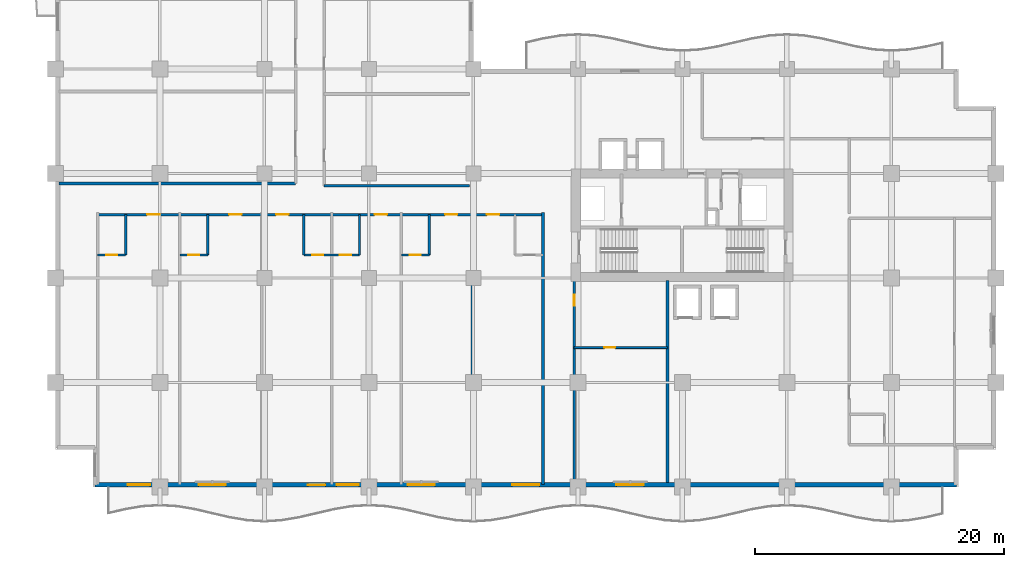
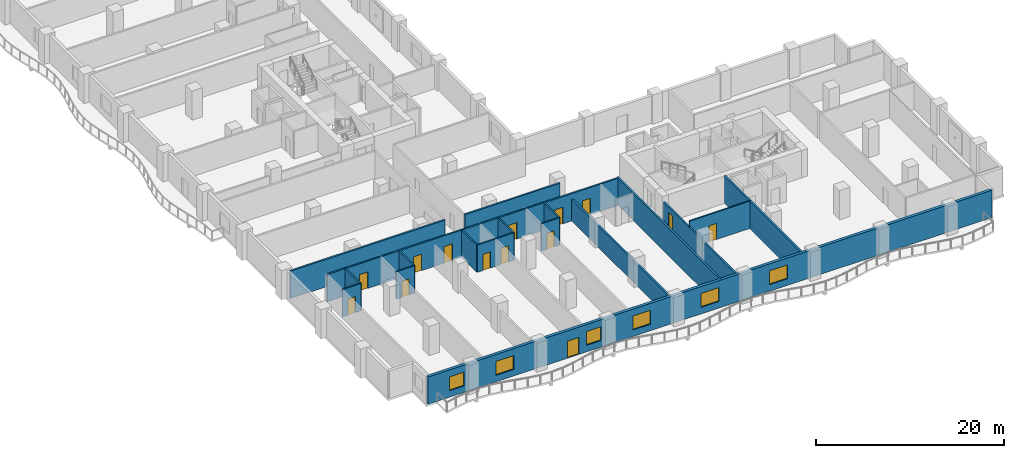
# One storey, part 7 of 20: 18 walls, 14 doors, 6 windows, 20 openings.
"""IFC4 building model written with IfcOpenShell, lengths in metres."""

from ifc_helpers import new_model, si_unit, direction, frame, frame_2d, origin, place, context, subcontext, project, spatial, rectangle, extrude, material, layer, layer_set, type_object, element, fill, save


model = new_model("IFC4")

# Units and contexts
model_context = context("Model", 3, precision=1e-05, world=origin(), true_north=direction((0.0, 1.0)))
body_context = subcontext(model_context, "Body", "Model", "MODEL_VIEW")
ifc_project = project(units=[si_unit("LENGTHUNIT", "METRE"), si_unit("AREAUNIT", "SQUARE_METRE"), si_unit("VOLUMEUNIT", "CUBIC_METRE"), si_unit("PLANEANGLEUNIT", "RADIAN"), si_unit("MASSUNIT", "GRAM", prefix="KILO")], contexts=[model_context])

# Site, building, storey
site_placement = place(None, origin())
site = spatial("IfcSite", under=ifc_project, at=site_placement, CompositionType="ELEMENT")
building_placement = place(site_placement, origin())
building = spatial("IfcBuilding", under=site, at=building_placement, Name="Koriwani Terraces Tower", CompositionType="ELEMENT")
storey_placement = place(building_placement, frame((0.0, 0.0, 126.60009765625)))
storey = spatial("IfcBuildingStorey", under=building, at=storey_placement, Name="L30", CompositionType="ELEMENT", Elevation=126.60009765625)

# Wall, opening, door
ifc_material_1 = material(Name="Autoclaved Cellular Concrete Blockwork", Category="masonry")
ifc_layer_1 = layer(ifc_material_1, 0.199951171875, Name="Autoclaved Cellular Concrete Blockwork")
ifc_layer_set_1 = layer_set([ifc_layer_1], Name="Autoclaved Cellular Concrete Blockwork")
wall_type_1 = type_object("IfcWallType", Name="WALL_CORRIDOR_200", PredefinedType="PARTITIONING", material=ifc_layer_set_1)
wall_1_placement = place(storey_placement, frame((41.699951171875, 0.35009765625, 0.0), z_axis=(0.0, 0.0, 1.0), x_axis=(0.0, 1.0, 0.0)))
wall_1 = element("IfcWall", 1, at=wall_1_placement, inside=storey, type_object=wall_type_1, Name="L30 Interior Wall WREC-EW-L30", PredefinedType="PARTITIONING", context=body_context, shape_type="SweptSolid", body=[
    extrude(rectangle(XDim=16.25, YDim=0.199951171875, at=frame_2d((8.125, 0.0))), origin(), (0.0, 0.0, 1.0), 2.7998046875),
])
opening_1_placement = place(wall_1_placement, frame((14.199951171875, 0.0, 0.0)))
opening_1 = element("IfcOpeningElement", 2, at=opening_1_placement, cuts=wall_1, Name="Opening D-06", PredefinedType="OPENING", context=body_context, shape_type="SweptSolid", body=[
    extrude(rectangle(XDim=0.919921875, YDim=2.10009765625, at=frame_2d((0.4599609375, 1.050048828125))), frame((0.0, 0.10986328125, 0.0), z_axis=(0.0, -1.0, 0.0), x_axis=(1.0, 0.0, 0.0)), (0.0, 0.0, 1.0), 0.219970703125),
])
ifc_material_2 = material(Name="Architectural Oak Fire Door", Category="wood")
door_type_1 = type_object("IfcDoorType", Name="DOOR_ROOM_INT_920X2100", OperationType="NOTDEFINED", PredefinedType="DOOR", material=ifc_material_2)
door_1_placement = place(opening_1_placement, origin())
door_1 = element("IfcDoor", 3, at=door_1_placement, inside=storey, type_object=door_type_1, Name="L30 Housekeeping and Linen Room Door", OperationType="SINGLE_SWING_RIGHT", OverallHeight=2.10009765625, OverallWidth=0.919921875, PredefinedType="DOOR", context=body_context, shape_type="SweptSolid", body=[
    extrude(rectangle(XDim=0.919921875, YDim=2.10009765625, at=frame_2d((0.4599609375, 1.050048828125))), frame((0.0, 0.02490234375, 0.0), z_axis=(0.0, -1.0, 0.0), x_axis=(1.0, 0.0, 0.0)), (0.0, 0.0, 1.0), 0.050048828125),
])
fill(opening_1, door_1)

# Wall
wall_2_placement = place(storey_placement, frame((21.60009765625, 24.199951171875, 0.0), z_axis=(0.0, 0.0, 1.0), x_axis=(1.0, 0.0, 0.0)))
element("IfcWall", 4, at=wall_2_placement, inside=storey, type_object=wall_type_1, Name="L30 Interior Wall WIC2-S-L30", PredefinedType="PARTITIONING", context=body_context, shape_type="SweptSolid", body=[
    extrude(rectangle(XDim=11.699951171875, YDim=0.199951171875, at=frame_2d((5.85009765625, 0.0))), origin(), (0.0, 0.0, 1.0), 3.5498046875),
])

# Wall, openings, doors
wall_3_placement = place(storey_placement, frame((3.39990234375, 21.89990234375, 0.0), z_axis=(0.0, 0.0, 1.0), x_axis=(1.0, 0.0, 0.0)))
wall_3 = element("IfcWall", 5, at=wall_3_placement, inside=storey, type_object=wall_type_1, Name="L30 Interior Wall WCOR-L30-SW-0", PredefinedType="PARTITIONING", context=body_context, shape_type="SweptSolid", body=[
    extrude(rectangle(XDim=35.800048828125, YDim=0.199951171875, at=frame_2d((17.89990234375, 0.0))), origin(), (0.0, 0.0, 1.0), 3.5498046875),
])
opening_2_placement = place(wall_3_placement, frame((3.965087890625, 0.0, 0.0)))
opening_2 = element("IfcOpeningElement", 6, at=opening_2_placement, cuts=wall_3, Name="Opening D-05", PredefinedType="OPENING", context=body_context, shape_type="SweptSolid", body=[
    extrude(rectangle(XDim=1.0, YDim=2.14990234375, at=frame_2d((0.5, 1.074951171875))), frame((0.0, 0.10986328125, 0.0), z_axis=(0.0, -1.0, 0.0), x_axis=(1.0, 0.0, 0.0)), (0.0, 0.0, 1.0), 0.219970703125),
])
opening_3_placement = place(wall_3_placement, frame((10.56494140625, 0.0, 0.0)))
opening_3 = element("IfcOpeningElement", 7, at=opening_3_placement, cuts=wall_3, Name="Opening D-05", PredefinedType="OPENING", context=body_context, shape_type="SweptSolid", body=[
    extrude(rectangle(XDim=1.0, YDim=2.14990234375, at=frame_2d((0.5, 1.074951171875))), frame((0.0, 0.10986328125, 0.0), z_axis=(0.0, -1.0, 0.0), x_axis=(1.0, 0.0, 0.0)), (0.0, 0.0, 1.0), 0.219970703125),
])
opening_4_placement = place(wall_3_placement, frame((14.340087890625, 0.0, 0.0)))
opening_4 = element("IfcOpeningElement", 8, at=opening_4_placement, cuts=wall_3, Name="Opening D-05", PredefinedType="OPENING", context=body_context, shape_type="SweptSolid", body=[
    extrude(rectangle(XDim=1.0, YDim=2.14990234375, at=frame_2d((0.5, 1.074951171875))), frame((0.0, 0.10986328125, 0.0), z_axis=(0.0, -1.0, 0.0), x_axis=(1.0, 0.0, 0.0)), (0.0, 0.0, 1.0), 0.219970703125),
])
opening_5_placement = place(wall_3_placement, frame((22.260009765625, 0.0, 0.0)))
opening_5 = element("IfcOpeningElement", 9, at=opening_5_placement, cuts=wall_3, Name="Opening D-05", PredefinedType="OPENING", context=body_context, shape_type="SweptSolid", body=[
    extrude(rectangle(XDim=1.0, YDim=2.14990234375, at=frame_2d((0.5, 1.074951171875))), frame((0.0, 0.10986328125, 0.0), z_axis=(0.0, -1.0, 0.0), x_axis=(1.0, 0.0, 0.0)), (0.0, 0.0, 1.0), 0.219970703125),
])
opening_6_placement = place(wall_3_placement, frame((27.9150390625, 0.0, 0.0)))
opening_6 = element("IfcOpeningElement", 10, at=opening_6_placement, cuts=wall_3, Name="Opening D-05", PredefinedType="OPENING", context=body_context, shape_type="SweptSolid", body=[
    extrude(rectangle(XDim=1.0, YDim=2.14990234375, at=frame_2d((0.5, 1.074951171875))), frame((0.0, 0.10986328125, 0.0), z_axis=(0.0, -1.0, 0.0), x_axis=(1.0, 0.0, 0.0)), (0.0, 0.0, 1.0), 0.219970703125),
])
opening_7_placement = place(wall_3_placement, frame((31.284912109375, 0.0, 0.0)))
opening_7 = element("IfcOpeningElement", 11, at=opening_7_placement, cuts=wall_3, Name="Opening D-05", PredefinedType="OPENING", context=body_context, shape_type="SweptSolid", body=[
    extrude(rectangle(XDim=1.0, YDim=2.14990234375, at=frame_2d((0.5, 1.074951171875))), frame((0.0, 0.10986328125, 0.0), z_axis=(0.0, -1.0, 0.0), x_axis=(1.0, 0.0, 0.0)), (0.0, 0.0, 1.0), 0.219970703125),
])
door_type_2 = type_object("IfcDoorType", Name="DOOR_SUITE_ENTRY_1000X2150", OperationType="NOTDEFINED", PredefinedType="DOOR", material=ifc_material_2)
door_2_placement = place(opening_2_placement, origin())
door_2 = element("IfcDoor", 12, at=door_2_placement, inside=storey, type_object=door_type_2, Name="Luxury Hotel Suite 30SW1 Entrance Door", OperationType="SINGLE_SWING_RIGHT", OverallHeight=2.14990234375, OverallWidth=1.0, PredefinedType="DOOR", context=body_context, shape_type="SweptSolid", body=[
    extrude(rectangle(XDim=1.0, YDim=2.14990234375, at=frame_2d((0.5, 1.074951171875))), frame((0.0, 0.02490234375, 0.0), z_axis=(0.0, -1.0, 0.0), x_axis=(1.0, 0.0, 0.0)), (0.0, 0.0, 1.0), 0.050048828125),
])
fill(opening_2, door_2)
door_3_placement = place(opening_3_placement, origin())
door_3 = element("IfcDoor", 13, at=door_3_placement, inside=storey, type_object=door_type_2, Name="Luxury Hotel Suite 30SW2 Entrance Door", OperationType="SINGLE_SWING_RIGHT", OverallHeight=2.14990234375, OverallWidth=1.0, PredefinedType="DOOR", context=body_context, shape_type="SweptSolid", body=[
    extrude(rectangle(XDim=1.0, YDim=2.14990234375, at=frame_2d((0.5, 1.074951171875))), frame((0.0, 0.02490234375, 0.0), z_axis=(0.0, -1.0, 0.0), x_axis=(1.0, 0.0, 0.0)), (0.0, 0.0, 1.0), 0.050048828125),
])
fill(opening_3, door_3)
door_4_placement = place(opening_4_placement, origin())
door_4 = element("IfcDoor", 14, at=door_4_placement, inside=storey, type_object=door_type_2, Name="Luxury Hotel Suite 30SW3 Entrance Door", OperationType="SINGLE_SWING_RIGHT", OverallHeight=2.14990234375, OverallWidth=1.0, PredefinedType="DOOR", context=body_context, shape_type="SweptSolid", body=[
    extrude(rectangle(XDim=1.0, YDim=2.14990234375, at=frame_2d((0.5, 1.074951171875))), frame((0.0, 0.02490234375, 0.0), z_axis=(0.0, -1.0, 0.0), x_axis=(1.0, 0.0, 0.0)), (0.0, 0.0, 1.0), 0.050048828125),
])
fill(opening_4, door_4)
door_5_placement = place(opening_5_placement, origin())
door_5 = element("IfcDoor", 15, at=door_5_placement, inside=storey, type_object=door_type_2, Name="Luxury Hotel Suite 30SW4 Entrance Door", OperationType="SINGLE_SWING_RIGHT", OverallHeight=2.14990234375, OverallWidth=1.0, PredefinedType="DOOR", context=body_context, shape_type="SweptSolid", body=[
    extrude(rectangle(XDim=1.0, YDim=2.14990234375, at=frame_2d((0.5, 1.074951171875))), frame((0.0, 0.02490234375, 0.0), z_axis=(0.0, -1.0, 0.0), x_axis=(1.0, 0.0, 0.0)), (0.0, 0.0, 1.0), 0.050048828125),
])
fill(opening_5, door_5)
door_6_placement = place(opening_6_placement, origin())
door_6 = element("IfcDoor", 16, at=door_6_placement, inside=storey, type_object=door_type_2, Name="Luxury Hotel Suite 30SW5 Entrance Door", OperationType="SINGLE_SWING_RIGHT", OverallHeight=2.14990234375, OverallWidth=1.0, PredefinedType="DOOR", context=body_context, shape_type="SweptSolid", body=[
    extrude(rectangle(XDim=1.0, YDim=2.14990234375, at=frame_2d((0.5, 1.074951171875))), frame((0.0, 0.02490234375, 0.0), z_axis=(0.0, -1.0, 0.0), x_axis=(1.0, 0.0, 0.0)), (0.0, 0.0, 1.0), 0.050048828125),
])
fill(opening_6, door_6)
door_7_placement = place(opening_7_placement, origin())
door_7 = element("IfcDoor", 17, at=door_7_placement, inside=storey, type_object=door_type_2, Name="Luxury Hotel Suite 30SW6 Entrance Door", OperationType="SINGLE_SWING_RIGHT", OverallHeight=2.14990234375, OverallWidth=1.0, PredefinedType="DOOR", context=body_context, shape_type="SweptSolid", body=[
    extrude(rectangle(XDim=1.0, YDim=2.14990234375, at=frame_2d((0.5, 1.074951171875))), frame((0.0, 0.02490234375, 0.0), z_axis=(0.0, -1.0, 0.0), x_axis=(1.0, 0.0, 0.0)), (0.0, 0.0, 1.0), 0.050048828125),
])
fill(opening_7, door_7)

# Walls
ifc_layer_2 = layer(ifc_material_1, 0.219970703125, Name="Autoclaved Cellular Concrete Blockwork")
ifc_layer_set_2 = layer_set([ifc_layer_2], Name="Autoclaved Cellular Concrete Blockwork")
wall_type_2 = type_object("IfcWallType", Name="WALL_DEMISING_220", PredefinedType="PARTITIONING", material=ifc_layer_set_2)
wall_4_placement = place(storey_placement, frame((49.199951171875, 0.35009765625, 0.0), z_axis=(0.0, 0.0, 1.0), x_axis=(0.0, 1.0, 0.0)))
element("IfcWall", 18, at=wall_4_placement, inside=storey, type_object=wall_type_2, Name="L30 Interior Wall WREC-EE-L30", PredefinedType="PARTITIONING", context=body_context, shape_type="SweptSolid", body=[
    extrude(rectangle(XDim=16.25, YDim=0.219970703125, at=frame_2d((8.125, 0.0))), origin(), (0.0, 0.0, 1.0), 3.5498046875),
])
wall_5_placement = place(storey_placement, frame((33.5, 0.199951171875, 0.0), z_axis=(0.0, 0.0, 1.0), x_axis=(0.0, 1.0, 0.0)))
element("IfcWall", 19, at=wall_5_placement, inside=storey, type_object=wall_type_2, Name="L30 Interior Wall WDEM-L30-SW-5", PredefinedType="PARTITIONING", context=body_context, shape_type="SweptSolid", body=[
    extrude(rectangle(XDim=21.880126953125, YDim=0.219970703125, at=frame_2d((10.93994140625, 0.0))), origin(), (0.0, 0.0, 1.0), 2.7998046875),
])
wall_6_placement = place(storey_placement, frame((39.199951171875, 0.199951171875, 0.0), z_axis=(0.0, 0.0, 1.0), x_axis=(0.0, 1.0, 0.0)))
element("IfcWall", 20, at=wall_6_placement, inside=storey, type_object=wall_type_2, Name="L30 Interior Wall WDEME-L30-SW", PredefinedType="PARTITIONING", context=body_context, shape_type="SweptSolid", body=[
    extrude(rectangle(XDim=21.880126953125, YDim=0.219970703125, at=frame_2d((10.93994140625, 0.0))), origin(), (0.0, 0.0, 1.0), 3.5498046875),
])
wall_7_placement = place(storey_placement, frame((0.300048828125, 24.39990234375, 0.0), z_axis=(0.0, 0.0, 1.0), x_axis=(1.0, 0.0, 0.0)))
element("IfcWall", 21, at=wall_7_placement, inside=storey, type_object=wall_type_2, Name="L30 Interior Wall WC2NWCLS-L30", PredefinedType="PARTITIONING", context=body_context, shape_type="SweptSolid", body=[
    extrude(rectangle(XDim=19.0, YDim=0.219970703125, at=frame_2d((9.5, 0.0))), origin(), (0.0, 0.0, 1.0), 3.5498046875),
])

# Wall, openings, door, windows
ifc_material_3 = material(Name="Concrete C50/60", Category="concrete")
ifc_layer_3 = layer(ifc_material_3, 0.35009765625, Name="Concrete C50/60")
ifc_layer_set_3 = layer_set([ifc_layer_3], Name="Concrete C50/60")
wall_type_3 = type_object("IfcWallType", Name="WALL_EXT_BRUTALIST_350", PredefinedType="STANDARD", material=ifc_layer_set_3)
wall_8_placement = place(storey_placement, frame((72.425048828125, 0.175048828125, 0.0), z_axis=(0.0, 0.0, 1.0), x_axis=(-1.0, 0.0, 0.0)))
wall_8 = element("IfcWall", 22, at=wall_8_placement, inside=storey, type_object=wall_type_3, Name="L30 Fair-Faced Brutalist Exterior Wall (S)", PredefinedType="STANDARD", context=body_context, shape_type="SweptSolid", body=[
    extrude(rectangle(XDim=69.25, YDim=0.35009765625, at=frame_2d((34.625, 0.0))), origin(), (0.0, 0.0, 1.0), 3.5498046875),
])
opening_8_placement = place(wall_8_placement, frame((50.72509765625, 0.0, 0.0)))
opening_8 = element("IfcOpeningElement", 23, at=opening_8_placement, cuts=wall_8, Name="Opening D-09", PredefinedType="OPENING", context=body_context, shape_type="SweptSolid", body=[
    extrude(rectangle(XDim=1.39990234375, YDim=2.199951171875, at=frame_2d((0.699951171875, 1.10009765625))), frame((0.0, 0.18505859375, 0.0), z_axis=(0.0, -1.0, 0.0), x_axis=(1.0, 0.0, 0.0)), (0.0, 0.0, 1.0), 0.3701171875),
])
opening_9_placement = place(wall_8_placement, frame((58.72509765625, 0.0, 0.85009765625)))
opening_9 = element("IfcOpeningElement", 24, at=opening_9_placement, cuts=wall_8, Name="Opening W-01", PredefinedType="OPENING", context=body_context, shape_type="SweptSolid", body=[
    extrude(rectangle(XDim=2.199951171875, YDim=1.800048828125, at=frame_2d((1.10009765625, 0.89990234375))), frame((0.0, 0.18505859375, 0.0), z_axis=(0.0, -1.0, 0.0), x_axis=(1.0, 0.0, 0.0)), (0.0, 0.0, 1.0), 0.3701171875),
])
opening_10_placement = place(wall_8_placement, frame((41.925048828125, 0.0, 0.85009765625)))
opening_10 = element("IfcOpeningElement", 25, at=opening_10_placement, cuts=wall_8, Name="Opening W-01", PredefinedType="OPENING", context=body_context, shape_type="SweptSolid", body=[
    extrude(rectangle(XDim=2.199951171875, YDim=1.800048828125, at=frame_2d((1.10009765625, 0.89990234375))), frame((0.0, 0.18505859375, 0.0), z_axis=(0.0, -1.0, 0.0), x_axis=(1.0, 0.0, 0.0)), (0.0, 0.0, 1.0), 0.3701171875),
])
opening_11_placement = place(wall_8_placement, frame((33.52490234375, 0.0, 0.85009765625)))
opening_11 = element("IfcOpeningElement", 26, at=opening_11_placement, cuts=wall_8, Name="Opening W-01", PredefinedType="OPENING", context=body_context, shape_type="SweptSolid", body=[
    extrude(rectangle(XDim=2.199951171875, YDim=1.800048828125, at=frame_2d((1.10009765625, 0.89990234375))), frame((0.0, 0.18505859375, 0.0), z_axis=(0.0, -1.0, 0.0), x_axis=(1.0, 0.0, 0.0)), (0.0, 0.0, 1.0), 0.3701171875),
])
opening_12_placement = place(wall_8_placement, frame((25.125, 0.0, 0.85009765625)))
opening_12 = element("IfcOpeningElement", 27, at=opening_12_placement, cuts=wall_8, Name="Opening W-01", PredefinedType="OPENING", context=body_context, shape_type="SweptSolid", body=[
    extrude(rectangle(XDim=2.199951171875, YDim=1.800048828125, at=frame_2d((1.10009765625, 0.89990234375))), frame((0.0, 0.18505859375, 0.0), z_axis=(0.0, -1.0, 0.0), x_axis=(1.0, 0.0, 0.0)), (0.0, 0.0, 1.0), 0.3701171875),
])
opening_13_placement = place(wall_8_placement, frame((64.824951171875, 0.0, 0.85009765625)))
opening_13 = element("IfcOpeningElement", 28, at=opening_13_placement, cuts=wall_8, Name="Opening W-04", PredefinedType="OPENING", context=body_context, shape_type="SweptSolid", body=[
    extrude(rectangle(XDim=1.800048828125, YDim=1.800048828125, at=frame_2d((0.89990234375, 0.89990234375))), frame((0.0, 0.18505859375, 0.0), z_axis=(0.0, -1.0, 0.0), x_axis=(1.0, 0.0, 0.0)), (0.0, 0.0, 1.0), 0.3701171875),
])
opening_14_placement = place(wall_8_placement, frame((48.02490234375, 0.0, 0.85009765625)))
opening_14 = element("IfcOpeningElement", 29, at=opening_14_placement, cuts=wall_8, Name="Opening W-04", PredefinedType="OPENING", context=body_context, shape_type="SweptSolid", body=[
    extrude(rectangle(XDim=1.800048828125, YDim=1.800048828125, at=frame_2d((0.89990234375, 0.89990234375))), frame((0.0, 0.18505859375, 0.0), z_axis=(0.0, -1.0, 0.0), x_axis=(1.0, 0.0, 0.0)), (0.0, 0.0, 1.0), 0.3701171875),
])
ifc_material_4 = material(Name="Anodised Bronze Aluminium", Category="aluminium")
door_type_3 = type_object("IfcDoorType", Name="DOOR_BALCONY_GLAZED_1400X2200", OperationType="NOTDEFINED", PredefinedType="DOOR", material=ifc_material_4)
door_8_placement = place(opening_8_placement, origin())
door_8 = element("IfcDoor", 30, at=door_8_placement, inside=storey, type_object=door_type_3, Name="L30 South Balcony Glazed Door", OperationType="SINGLE_SWING_LEFT", OverallHeight=2.199951171875, OverallWidth=1.39990234375, PredefinedType="DOOR", context=body_context, shape_type="SweptSolid", body=[
    extrude(rectangle(XDim=1.39990234375, YDim=2.199951171875, at=frame_2d((0.699951171875, 1.10009765625))), frame((0.0, 0.02490234375, 0.0), z_axis=(0.0, -1.0, 0.0), x_axis=(1.0, 0.0, 0.0)), (0.0, 0.0, 1.0), 0.050048828125),
])
fill(opening_8, door_8)
ifc_material_5 = material(Name="Tempered Laminated Low-E Glass", Category="glass")
window_type_1 = type_object("IfcWindowType", Name="WIN_HOTEL_STD_2200X1800", PartitioningType="DOUBLE_PANEL_VERTICAL", PredefinedType="WINDOW", material=ifc_material_5)
window_1_placement = place(opening_9_placement, origin())
window_1 = element("IfcWindow", 31, at=window_1_placement, inside=storey, type_object=window_type_1, Name="L30 Exterior Window (S-3)", OverallHeight=1.800048828125, OverallWidth=2.199951171875, PartitioningType="SINGLE_PANEL", PredefinedType="WINDOW", context=body_context, shape_type="SweptSolid", body=[
    extrude(rectangle(XDim=2.199951171875, YDim=1.800048828125, at=frame_2d((1.10009765625, 0.89990234375))), frame((0.0, 0.030029296875, 0.0), z_axis=(0.0, -1.0, 0.0), x_axis=(1.0, 0.0, 0.0)), (0.0, 0.0, 1.0), 0.06005859375),
])
fill(opening_9, window_1)
window_2_placement = place(opening_10_placement, origin())
window_2 = element("IfcWindow", 32, at=window_2_placement, inside=storey, type_object=window_type_1, Name="L30 Exterior Window (S-9)", OverallHeight=1.800048828125, OverallWidth=2.199951171875, PartitioningType="SINGLE_PANEL", PredefinedType="WINDOW", context=body_context, shape_type="SweptSolid", body=[
    extrude(rectangle(XDim=2.199951171875, YDim=1.800048828125, at=frame_2d((1.10009765625, 0.89990234375))), frame((0.0, 0.030029296875, 0.0), z_axis=(0.0, -1.0, 0.0), x_axis=(1.0, 0.0, 0.0)), (0.0, 0.0, 1.0), 0.06005859375),
])
fill(opening_10, window_2)
window_3_placement = place(opening_11_placement, origin())
window_3 = element("IfcWindow", 33, at=window_3_placement, inside=storey, type_object=window_type_1, Name="L30 Exterior Window (S-12)", OverallHeight=1.800048828125, OverallWidth=2.199951171875, PartitioningType="SINGLE_PANEL", PredefinedType="WINDOW", context=body_context, shape_type="SweptSolid", body=[
    extrude(rectangle(XDim=2.199951171875, YDim=1.800048828125, at=frame_2d((1.10009765625, 0.89990234375))), frame((0.0, 0.030029296875, 0.0), z_axis=(0.0, -1.0, 0.0), x_axis=(1.0, 0.0, 0.0)), (0.0, 0.0, 1.0), 0.06005859375),
])
fill(opening_11, window_3)
window_4_placement = place(opening_12_placement, origin())
window_4 = element("IfcWindow", 34, at=window_4_placement, inside=storey, type_object=window_type_1, Name="L30 Exterior Window (S-15)", OverallHeight=1.800048828125, OverallWidth=2.199951171875, PartitioningType="SINGLE_PANEL", PredefinedType="WINDOW", context=body_context, shape_type="SweptSolid", body=[
    extrude(rectangle(XDim=2.199951171875, YDim=1.800048828125, at=frame_2d((1.10009765625, 0.89990234375))), frame((0.0, 0.030029296875, 0.0), z_axis=(0.0, -1.0, 0.0), x_axis=(1.0, 0.0, 0.0)), (0.0, 0.0, 1.0), 0.06005859375),
])
fill(opening_12, window_4)
window_type_2 = type_object("IfcWindowType", Name="WIN_RES_BED_1800X1800", PartitioningType="DOUBLE_PANEL_VERTICAL", PredefinedType="WINDOW", material=ifc_material_5)
window_5_placement = place(opening_13_placement, origin())
window_5 = element("IfcWindow", 35, at=window_5_placement, inside=storey, type_object=window_type_2, Name="L30 Exterior Window (S-R31)", OverallHeight=1.800048828125, OverallWidth=1.800048828125, PartitioningType="SINGLE_PANEL", PredefinedType="WINDOW", context=body_context, shape_type="SweptSolid", body=[
    extrude(rectangle(XDim=1.800048828125, YDim=1.800048828125, at=frame_2d((0.89990234375, 0.89990234375))), frame((0.0, 0.030029296875, 0.0), z_axis=(0.0, -1.0, 0.0), x_axis=(1.0, 0.0, 0.0)), (0.0, 0.0, 1.0), 0.06005859375),
])
fill(opening_13, window_5)
window_6_placement = place(opening_14_placement, origin())
window_6 = element("IfcWindow", 36, at=window_6_placement, inside=storey, type_object=window_type_2, Name="L30 Exterior Window (S-R37)", OverallHeight=1.800048828125, OverallWidth=1.800048828125, PartitioningType="SINGLE_PANEL", PredefinedType="WINDOW", context=body_context, shape_type="SweptSolid", body=[
    extrude(rectangle(XDim=1.800048828125, YDim=1.800048828125, at=frame_2d((0.89990234375, 0.89990234375))), frame((0.0, 0.030029296875, 0.0), z_axis=(0.0, -1.0, 0.0), x_axis=(1.0, 0.0, 0.0)), (0.0, 0.0, 1.0), 0.06005859375),
])
fill(opening_14, window_6)

# Wall, opening, door
ifc_material_6 = material(Name="Fire-Rated Acoustic Gypsum Partition", Category="masonry")
ifc_layer_4 = layer(ifc_material_6, 0.179931640625, Name="Fire-Rated Acoustic Gypsum Partition")
ifc_layer_set_4 = layer_set([ifc_layer_4], Name="Fire-Rated Acoustic Gypsum Partition")
wall_type_4 = type_object("IfcWallType", Name="WALL_PLUMBING_180", PredefinedType="PLUMBINGWALL", material=ifc_layer_set_4)
wall_9_placement = place(storey_placement, frame((3.39990234375, 18.64990234375, 0.0), z_axis=(0.0, 0.0, 1.0), x_axis=(1.0, 0.0, 0.0)))
wall_9 = element("IfcWall", 37, at=wall_9_placement, inside=storey, type_object=wall_type_4, Name="L30 Interior Wall WBTH1-L30-SW-0", PredefinedType="PLUMBINGWALL", context=body_context, shape_type="SweptSolid", body=[
    extrude(rectangle(XDim=2.25, YDim=0.179931640625, at=frame_2d((1.125, 0.0))), origin(), (0.0, 0.0, 1.0), 3.5498046875),
])
opening_15_placement = place(wall_9_placement, frame((0.675048828125, 0.0, 0.0)))
opening_15 = element("IfcOpeningElement", 38, at=opening_15_placement, cuts=wall_9, Name="Opening D-07", PredefinedType="OPENING", context=body_context, shape_type="SweptSolid", body=[
    extrude(rectangle(XDim=0.89990234375, YDim=2.10009765625, at=frame_2d((0.449951171875, 1.050048828125))), frame((0.0, 0.10009765625, 0.0), z_axis=(0.0, -1.0, 0.0), x_axis=(1.0, 0.0, 0.0)), (0.0, 0.0, 1.0), 0.199951171875),
])
door_type_4 = type_object("IfcDoorType", Name="DOOR_BATH_INT_900X2100", OperationType="NOTDEFINED", PredefinedType="DOOR", material=ifc_material_2)
door_9_placement = place(opening_15_placement, origin())
door_9 = element("IfcDoor", 39, at=door_9_placement, inside=storey, type_object=door_type_4, Name="En-Suite Bathroom 30SW1 Door", OperationType="SINGLE_SWING_LEFT", OverallHeight=2.10009765625, OverallWidth=0.89990234375, PredefinedType="DOOR", context=body_context, shape_type="SweptSolid", body=[
    extrude(rectangle(XDim=0.89990234375, YDim=2.10009765625, at=frame_2d((0.449951171875, 1.050048828125))), frame((0.0, 0.02490234375, 0.0), z_axis=(0.0, -1.0, 0.0), x_axis=(1.0, 0.0, 0.0)), (0.0, 0.0, 1.0), 0.050048828125),
])
fill(opening_15, door_9)

# Wall
wall_10_placement = place(storey_placement, frame((5.64990234375, 18.64990234375, 0.0), z_axis=(0.0, 0.0, 1.0), x_axis=(0.0, 1.0, 0.0)))
element("IfcWall", 40, at=wall_10_placement, inside=storey, type_object=wall_type_4, Name="L30 Interior Wall WBTH2-L30-SW-0", PredefinedType="PLUMBINGWALL", context=body_context, shape_type="SweptSolid", body=[
    extrude(rectangle(XDim=3.25, YDim=0.179931640625, at=frame_2d((1.625, 0.0))), origin(), (0.0, 0.0, 1.0), 3.5498046875),
])

# Wall, opening, door
wall_11_placement = place(storey_placement, frame((10.0, 18.64990234375, 0.0), z_axis=(0.0, 0.0, 1.0), x_axis=(1.0, 0.0, 0.0)))
wall_11 = element("IfcWall", 41, at=wall_11_placement, inside=storey, type_object=wall_type_4, Name="L30 Interior Wall WBTH1-L30-SW-1", PredefinedType="PLUMBINGWALL", context=body_context, shape_type="SweptSolid", body=[
    extrude(rectangle(XDim=2.25, YDim=0.179931640625, at=frame_2d((1.125, 0.0))), origin(), (0.0, 0.0, 1.0), 3.5498046875),
])
opening_16_placement = place(wall_11_placement, frame((0.675048828125, 0.0, 0.0)))
opening_16 = element("IfcOpeningElement", 42, at=opening_16_placement, cuts=wall_11, Name="Opening D-07", PredefinedType="OPENING", context=body_context, shape_type="SweptSolid", body=[
    extrude(rectangle(XDim=0.89990234375, YDim=2.10009765625, at=frame_2d((0.449951171875, 1.050048828125))), frame((0.0, 0.10009765625, 0.0), z_axis=(0.0, -1.0, 0.0), x_axis=(1.0, 0.0, 0.0)), (0.0, 0.0, 1.0), 0.199951171875),
])
door_10_placement = place(opening_16_placement, origin())
door_10 = element("IfcDoor", 43, at=door_10_placement, inside=storey, type_object=door_type_4, Name="En-Suite Bathroom 30SW2 Door", OperationType="SINGLE_SWING_LEFT", OverallHeight=2.10009765625, OverallWidth=0.89990234375, PredefinedType="DOOR", context=body_context, shape_type="SweptSolid", body=[
    extrude(rectangle(XDim=0.89990234375, YDim=2.10009765625, at=frame_2d((0.449951171875, 1.050048828125))), frame((0.0, 0.02490234375, 0.0), z_axis=(0.0, -1.0, 0.0), x_axis=(1.0, 0.0, 0.0)), (0.0, 0.0, 1.0), 0.050048828125),
])
fill(opening_16, door_10)

# Wall
wall_12_placement = place(storey_placement, frame((12.25, 18.64990234375, 0.0), z_axis=(0.0, 0.0, 1.0), x_axis=(0.0, 1.0, 0.0)))
element("IfcWall", 44, at=wall_12_placement, inside=storey, type_object=wall_type_4, Name="L30 Interior Wall WBTH2-L30-SW-1", PredefinedType="PLUMBINGWALL", context=body_context, shape_type="SweptSolid", body=[
    extrude(rectangle(XDim=3.25, YDim=0.179931640625, at=frame_2d((1.625, 0.0))), origin(), (0.0, 0.0, 1.0), 3.5498046875),
])

# Wall, openings, doors
wall_13_placement = place(storey_placement, frame((19.9599609375, 18.64990234375, 0.0), z_axis=(0.0, 0.0, 1.0), x_axis=(1.0, 0.0, 0.0)))
wall_13 = element("IfcWall", 45, at=wall_13_placement, inside=storey, type_object=wall_type_4, Name="L30 Interior Wall WBTH1-L30-SW-2", PredefinedType="PLUMBINGWALL", context=body_context, shape_type="SweptSolid", body=[
    extrude(rectangle(XDim=4.47998046875, YDim=0.179931640625, at=frame_2d((2.239990234375, 0.0))), origin(), (0.0, 0.0, 1.0), 3.5498046875),
])
opening_17_placement = place(wall_13_placement, frame((0.669921875, 0.0, 0.0)))
opening_17 = element("IfcOpeningElement", 46, at=opening_17_placement, cuts=wall_13, Name="Opening D-07", PredefinedType="OPENING", context=body_context, shape_type="SweptSolid", body=[
    extrude(rectangle(XDim=0.89990234375, YDim=2.10009765625, at=frame_2d((0.449951171875, 1.050048828125))), frame((0.0, 0.10009765625, 0.0), z_axis=(0.0, -1.0, 0.0), x_axis=(1.0, 0.0, 0.0)), (0.0, 0.0, 1.0), 0.199951171875),
])
opening_18_placement = place(wall_13_placement, frame((2.909912109375, 0.0, 0.0)))
opening_18 = element("IfcOpeningElement", 47, at=opening_18_placement, cuts=wall_13, Name="Opening D-07", PredefinedType="OPENING", context=body_context, shape_type="SweptSolid", body=[
    extrude(rectangle(XDim=0.89990234375, YDim=2.10009765625, at=frame_2d((0.449951171875, 1.050048828125))), frame((0.0, 0.10009765625, 0.0), z_axis=(0.0, -1.0, 0.0), x_axis=(1.0, 0.0, 0.0)), (0.0, 0.0, 1.0), 0.199951171875),
])
door_11_placement = place(opening_17_placement, origin())
door_11 = element("IfcDoor", 48, at=door_11_placement, inside=storey, type_object=door_type_4, Name="En-Suite Bathroom 30SW3 Door", OperationType="SINGLE_SWING_LEFT", OverallHeight=2.10009765625, OverallWidth=0.89990234375, PredefinedType="DOOR", context=body_context, shape_type="SweptSolid", body=[
    extrude(rectangle(XDim=0.89990234375, YDim=2.10009765625, at=frame_2d((0.449951171875, 1.050048828125))), frame((0.0, 0.02490234375, 0.0), z_axis=(0.0, -1.0, 0.0), x_axis=(1.0, 0.0, 0.0)), (0.0, 0.0, 1.0), 0.050048828125),
])
fill(opening_17, door_11)
door_12_placement = place(opening_18_placement, origin())
door_12 = element("IfcDoor", 49, at=door_12_placement, inside=storey, type_object=door_type_4, Name="En-Suite Bathroom 30SW4 Door", OperationType="SINGLE_SWING_LEFT", OverallHeight=2.10009765625, OverallWidth=0.89990234375, PredefinedType="DOOR", context=body_context, shape_type="SweptSolid", body=[
    extrude(rectangle(XDim=0.89990234375, YDim=2.10009765625, at=frame_2d((0.449951171875, 1.050048828125))), frame((0.0, 0.02490234375, 0.0), z_axis=(0.0, -1.0, 0.0), x_axis=(1.0, 0.0, 0.0)), (0.0, 0.0, 1.0), 0.050048828125),
])
fill(opening_18, door_12)

# Walls
for number, where, z_axis, x_axis, name in (
    (50, (19.9599609375, 18.64990234375, 0.0), (0.0, 0.0, 1.0), (0.0, 1.0, 0.0), "L30 Interior Wall WBTH2-L30-SW-2"),
    (51, (24.43994140625, 18.64990234375, 0.0), (0.0, 0.0, 1.0), (0.0, 1.0, 0.0), "L30 Interior Wall WBTH2-L30-SW-3"),
):
    element("IfcWall", number, at=place(storey_placement, frame(where, z_axis=z_axis, x_axis=x_axis)), inside=storey, type_object=wall_type_4, Name=name, PredefinedType="PLUMBINGWALL", context=body_context, shape_type="SweptSolid", body=[
        extrude(rectangle(XDim=3.25, YDim=0.179931640625, at=frame_2d((1.625, 0.0))), origin(), (0.0, 0.0, 1.0), 3.5498046875),
    ])

# Wall, opening, door
wall_14_placement = place(storey_placement, frame((27.800048828125, 18.64990234375, 0.0), z_axis=(0.0, 0.0, 1.0), x_axis=(1.0, 0.0, 0.0)))
wall_14 = element("IfcWall", 52, at=wall_14_placement, inside=storey, type_object=wall_type_4, Name="L30 Interior Wall WBTH1-L30-SW-4", PredefinedType="PLUMBINGWALL", context=body_context, shape_type="SweptSolid", body=[
    extrude(rectangle(XDim=2.25, YDim=0.179931640625, at=frame_2d((1.125, 0.0))), origin(), (0.0, 0.0, 1.0), 3.5498046875),
])
opening_19_placement = place(wall_14_placement, frame((0.675048828125, 0.0, 0.0)))
opening_19 = element("IfcOpeningElement", 53, at=opening_19_placement, cuts=wall_14, Name="Opening D-07", PredefinedType="OPENING", context=body_context, shape_type="SweptSolid", body=[
    extrude(rectangle(XDim=0.89990234375, YDim=2.10009765625, at=frame_2d((0.449951171875, 1.050048828125))), frame((0.0, 0.10009765625, 0.0), z_axis=(0.0, -1.0, 0.0), x_axis=(1.0, 0.0, 0.0)), (0.0, 0.0, 1.0), 0.199951171875),
])
door_13_placement = place(opening_19_placement, origin())
door_13 = element("IfcDoor", 54, at=door_13_placement, inside=storey, type_object=door_type_4, Name="En-Suite Bathroom 30SW5 Door", OperationType="SINGLE_SWING_LEFT", OverallHeight=2.10009765625, OverallWidth=0.89990234375, PredefinedType="DOOR", context=body_context, shape_type="SweptSolid", body=[
    extrude(rectangle(XDim=0.89990234375, YDim=2.10009765625, at=frame_2d((0.449951171875, 1.050048828125))), frame((0.0, 0.02490234375, 0.0), z_axis=(0.0, -1.0, 0.0), x_axis=(1.0, 0.0, 0.0)), (0.0, 0.0, 1.0), 0.050048828125),
])
fill(opening_19, door_13)

# Wall
wall_15_placement = place(storey_placement, frame((30.050048828125, 18.64990234375, 0.0), z_axis=(0.0, 0.0, 1.0), x_axis=(0.0, 1.0, 0.0)))
element("IfcWall", 55, at=wall_15_placement, inside=storey, type_object=wall_type_4, Name="L30 Interior Wall WBTH2-L30-SW-4", PredefinedType="PLUMBINGWALL", context=body_context, shape_type="SweptSolid", body=[
    extrude(rectangle(XDim=3.25, YDim=0.179931640625, at=frame_2d((1.625, 0.0))), origin(), (0.0, 0.0, 1.0), 3.5498046875),
])

# Wall, opening, door
ifc_layer_5 = layer(ifc_material_6, 0.159912109375, Name="Fire-Rated Acoustic Gypsum Partition")
ifc_layer_set_5 = layer_set([ifc_layer_5], Name="Fire-Rated Acoustic Gypsum Partition")
wall_type_5 = type_object("IfcWallType", Name="WALL_SUITE_160", PredefinedType="PARTITIONING", material=ifc_layer_set_5)
wall_16_placement = place(storey_placement, frame((41.699951171875, 11.199951171875, 0.0), z_axis=(0.0, 0.0, 1.0), x_axis=(1.0, 0.0, 0.0)))
wall_16 = element("IfcWall", 56, at=wall_16_placement, inside=storey, type_object=wall_type_5, Name="L30 Interior Wall WREC-EM-L30", PredefinedType="PARTITIONING", context=body_context, shape_type="SweptSolid", body=[
    extrude(rectangle(XDim=7.5, YDim=0.159912109375, at=frame_2d((3.75, 0.0))), origin(), (0.0, 0.0, 1.0), 3.5498046875),
])
opening_20_placement = place(wall_16_placement, frame((2.39990234375, 0.0, 0.0)))
opening_20 = element("IfcOpeningElement", 57, at=opening_20_placement, cuts=wall_16, Name="Opening D-06", PredefinedType="OPENING", context=body_context, shape_type="SweptSolid", body=[
    extrude(rectangle(XDim=0.919921875, YDim=2.10009765625, at=frame_2d((0.4599609375, 1.050048828125))), frame((0.0, 0.08984375, 0.0), z_axis=(0.0, -1.0, 0.0), x_axis=(1.0, 0.0, 0.0)), (0.0, 0.0, 1.0), 0.179931640625),
])
door_14_placement = place(opening_20_placement, origin())
door_14 = element("IfcDoor", 58, at=door_14_placement, inside=storey, type_object=door_type_1, Name="L30 Floor Study Lounge Door", OperationType="SINGLE_SWING_LEFT", OverallHeight=2.10009765625, OverallWidth=0.919921875, PredefinedType="DOOR", context=body_context, shape_type="SweptSolid", body=[
    extrude(rectangle(XDim=0.919921875, YDim=2.10009765625, at=frame_2d((0.4599609375, 1.050048828125))), frame((0.0, 0.02490234375, 0.0), z_axis=(0.0, -1.0, 0.0), x_axis=(1.0, 0.0, 0.0)), (0.0, 0.0, 1.0), 0.050048828125),
])
fill(opening_20, door_14)

save(model, "model.ifc")
